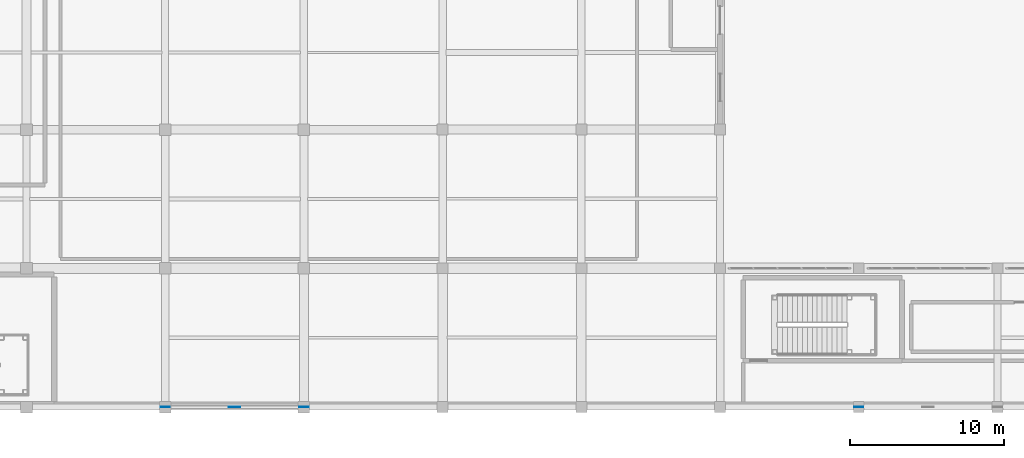
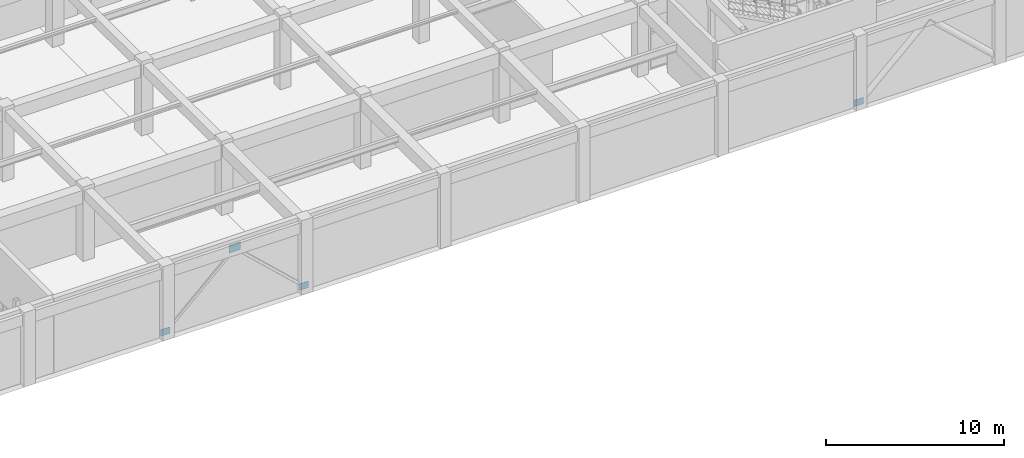
# One storey, part 95 of 128: 4 plates.
"""IFC4 building model written with IfcOpenShell, lengths in metres."""

from ifc_helpers import new_model, si_unit, direction, frame, origin, origin_2d, place, context, subcontext, project, spatial, rectangle, extrude, material, layer, layer_set, type_object, element, save


model = new_model("IFC4")

# Units and contexts
model_context = context("Model", 3, precision=1e-05, world=origin(), true_north=direction((0.0, 1.0)))
body_context = subcontext(model_context, "Body", "Model", "MODEL_VIEW")
ifc_project = project(units=[si_unit("LENGTHUNIT", "METRE"), si_unit("AREAUNIT", "SQUARE_METRE"), si_unit("VOLUMEUNIT", "CUBIC_METRE"), si_unit("PLANEANGLEUNIT", "RADIAN"), si_unit("MASSUNIT", "GRAM", prefix="KILO")], contexts=[model_context])

# Site, building, storey
site_placement = place(None, origin())
site = spatial("IfcSite", under=ifc_project, at=site_placement, CompositionType="ELEMENT")
building_placement = place(site_placement, origin())
building = spatial("IfcBuilding", under=site, at=building_placement, Name="Miravela Opera House", CompositionType="ELEMENT")
storey_placement = place(building_placement, origin())
storey = spatial("IfcBuildingStorey", under=building, at=storey_placement, Name="L00", CompositionType="ELEMENT", Elevation=0.0)

# Plates
ifc_material = material(Name="Structural steel ASTM A572 Gr. 50", Category="steel")
ifc_layer_1 = layer(ifc_material, 0.01806640625)
ifc_layer_set_1 = layer_set([ifc_layer_1])
plate_type_1 = type_object("IfcPlateType", Name="STR-PL-GUS-600X450X18", PredefinedType="USERDEFINED", material=ifc_layer_set_1)
for number, where, z_axis, x_axis, name in (
    (1, (81.0, 0.0, 0.0751953125), (0.0, 0.0, 1.0), (1.0, 0.0, 0.0), "Brace Wall Cast-In Embed Plate 298"),
    (2, (90.0, 0.0, 0.0751953125), (0.0, 0.0, 1.0), (1.0, 0.0, 0.0), "Brace Wall Cast-In Embed Plate 299"),
    (3, (126.0, 0.0, 0.0751953125), (0.0, 0.0, 1.0), (1.0, 0.0, 0.0), "Brace Wall Cast-In Embed Plate 310"),
):
    element("IfcPlate", number, at=place(storey_placement, frame(where, z_axis=z_axis, x_axis=x_axis)), inside=storey, type_object=plate_type_1, Name=name, ObjectType="GUSSET PLATE", PredefinedType="USERDEFINED", context=body_context, shape_type="SweptSolid", body=[
        extrude(rectangle(XDim=0.60009765625, YDim=0.01806640625, at=origin_2d()), origin(), (0.0, 0.0, 1.0), 0.449951171875),
    ])
ifc_layer_2 = layer(ifc_material, 0.02001953125)
ifc_layer_set_2 = layer_set([ifc_layer_2])
plate_type_2 = type_object("IfcPlateType", Name="STR-PL-GUS-750X550X20", PredefinedType="USERDEFINED", material=ifc_layer_set_2)
plate_placement = place(storey_placement, frame((85.5, 0.0, 4.22509765625), z_axis=(0.0, 0.0, 1.0), x_axis=(1.0, 0.0, 0.0)))
element("IfcPlate", 4, at=plate_placement, inside=storey, type_object=plate_type_2, Name="Chevron Brace Apex Gusset Plate 297", ObjectType="GUSSET PLATE", PredefinedType="USERDEFINED", context=body_context, shape_type="SweptSolid", body=[
    extrude(rectangle(XDim=0.75, YDim=0.02001953125, at=origin_2d()), origin(), (0.0, 0.0, 1.0), 0.550048828125),
])

save(model, "model.ifc")
